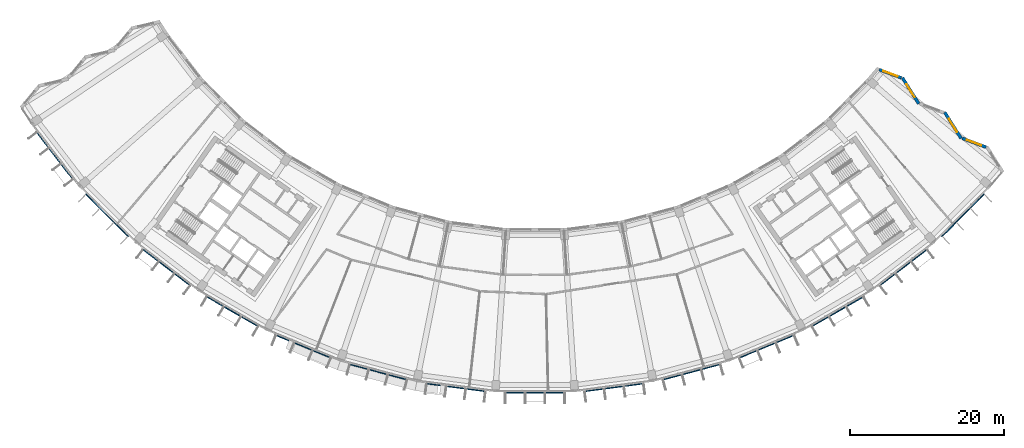
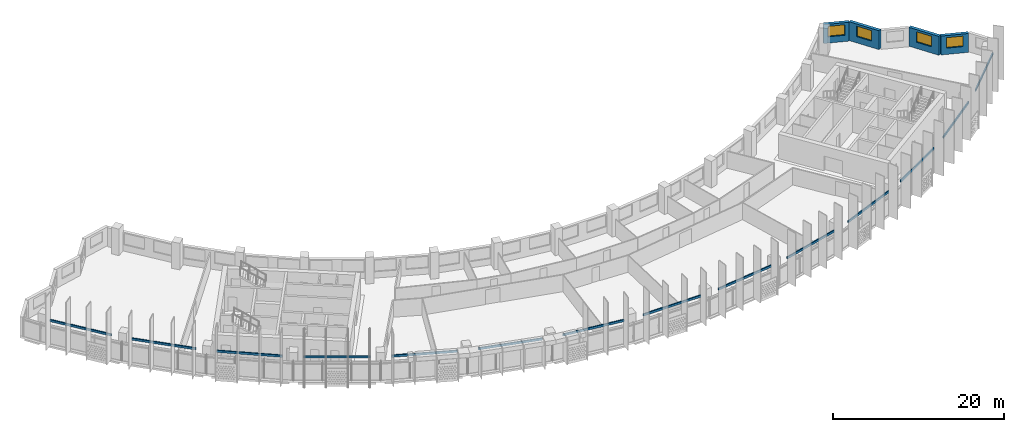
# One storey, part 8 of 28: 14 discrete accessories, 4 walls, 4 windows, 4 openings.
"""IFC4 building model written with IfcOpenShell, lengths in metres."""

from ifc_helpers import new_model, si_unit, direction, frame, frame_2d, origin, origin_2d, place, context, subcontext, project, spatial, rectangle, extrude, material, layer, layer_set, type_object, element, fill, save


model = new_model("IFC4")

# Units and contexts
model_context = context("Model", 3, precision=1e-05, world=origin(), true_north=direction((0.0, 1.0)))
body_context = subcontext(model_context, "Body", "Model", "MODEL_VIEW")
ifc_project = project(units=[si_unit("LENGTHUNIT", "METRE"), si_unit("AREAUNIT", "SQUARE_METRE"), si_unit("VOLUMEUNIT", "CUBIC_METRE"), si_unit("PLANEANGLEUNIT", "RADIAN"), si_unit("MASSUNIT", "GRAM", prefix="KILO")], contexts=[model_context])

# Site, building, storey
site_placement = place(None, origin())
site = spatial("IfcSite", under=ifc_project, at=site_placement, CompositionType="ELEMENT")
building_placement = place(site_placement, origin())
building = spatial("IfcBuilding", under=site, at=building_placement, Name="Qamariyya Broadcast Tower", CompositionType="ELEMENT")
storey_placement = place(building_placement, frame((0.0, 0.0, 226.5)))
storey = spatial("IfcBuildingStorey", under=building, at=storey_placement, Name="L54", CompositionType="ELEMENT", Elevation=226.5)

# Wall, opening, window
ifc_material_1 = material(Name="Terracotta", Category="masonry")
ifc_layer = layer(ifc_material_1, 0.39990234375)
ifc_layer_set = layer_set([ifc_layer], Name="Terracotta clad wall 400")
wall_type = type_object("IfcWallType", Name="Terracotta clad wall 400", PredefinedType="SOLIDWALL", material=ifc_layer_set)
wall_1_placement = place(storey_placement, frame((58.53857421875, -46.711181640625, 0.0), z_axis=(0.0, 0.0, 1.0), x_axis=(-0.936244161023, 0.351350068948, 0.0)))
wall_1 = element("IfcWall", 1, at=wall_1_placement, inside=storey, type_object=wall_type, Name="e-wl-L54-capE1", PredefinedType="SOLIDWALL", context=body_context, shape_type="SweptSolid", body=[
    extrude(rectangle(XDim=3.305419921875, YDim=0.39990234375, at=frame_2d((1.65283203125, 0.0))), origin(), (0.0, 0.0, 1.0), 2.699951171875),
])
opening_1_placement = place(wall_1_placement, frame((0.652587890625, 0.0, 0.89990234375)))
opening_1 = element("IfcOpeningElement", 2, at=opening_1_placement, cuts=wall_1, Name="Opening W4", PredefinedType="OPENING", context=body_context, shape_type="SweptSolid", body=[
    extrude(rectangle(XDim=2.0, YDim=1.5, at=frame_2d((1.0, 0.75))), frame((0.0, 0.2099609375, 0.0), z_axis=(0.0, -1.0, 0.0), x_axis=(1.0, 0.0, 0.0)), (0.0, 0.0, 1.0), 0.419921875),
])
ifc_material_2 = material(Name="Clear low-e double glazed unit in aluminium frame", Category="aluminium")
window_type = type_object("IfcWindowType", Name="Horn bay window 2000 x 1500", PartitioningType="SINGLE_PANEL", PredefinedType="WINDOW", material=ifc_material_2)
window_1_placement = place(opening_1_placement, origin())
window_1 = element("IfcWindow", 3, at=window_1_placement, inside=storey, type_object=window_type, Name="e-w-L54-capE1", OverallHeight=1.5, OverallWidth=2.0, PartitioningType="SINGLE_PANEL", PredefinedType="WINDOW", context=body_context, shape_type="SweptSolid", body=[
    extrude(rectangle(XDim=2.0, YDim=1.5, at=frame_2d((1.0, 0.75))), frame((0.0, 0.030029296875, 0.0), z_axis=(0.0, -1.0, 0.0), x_axis=(1.0, 0.0, 0.0)), (0.0, 0.0, 1.0), 0.06005859375),
])
fill(opening_1, window_1)

wall_2_placement = place(storey_placement, frame((55.304931640625, -45.575439453125, 0.0), z_axis=(0.0, 0.0, 1.0), x_axis=(-0.531140425342, 0.847283806388, 0.0)))
wall_2 = element("IfcWall", 4, at=wall_2_placement, inside=storey, type_object=wall_type, Name="e-wl-L54-capE2", PredefinedType="SOLIDWALL", context=body_context, shape_type="SweptSolid", body=[
    extrude(rectangle(XDim=3.9970703125, YDim=0.39990234375, at=frame_2d((1.99853515625, 0.0))), origin(), (0.0, 0.0, 1.0), 2.699951171875),
])
opening_2_placement = place(wall_2_placement, frame((0.998779296875, 0.0, 0.89990234375)))
opening_2 = element("IfcOpeningElement", 5, at=opening_2_placement, cuts=wall_2, Name="Opening W4", PredefinedType="OPENING", context=body_context, shape_type="SweptSolid", body=[
    extrude(rectangle(XDim=2.0, YDim=1.5, at=frame_2d((1.0, 0.75))), frame((0.0, 0.2099609375, 0.0), z_axis=(0.0, -1.0, 0.0), x_axis=(1.0, 0.0, 0.0)), (0.0, 0.0, 1.0), 0.419921875),
])
window_2_placement = place(opening_2_placement, origin())
window_2 = element("IfcWindow", 6, at=window_2_placement, inside=storey, type_object=window_type, Name="e-w-L54-capE2", OverallHeight=1.5, OverallWidth=2.0, PartitioningType="SINGLE_PANEL", PredefinedType="WINDOW", context=body_context, shape_type="SweptSolid", body=[
    extrude(rectangle(XDim=2.0, YDim=1.5, at=frame_2d((1.0, 0.75))), frame((0.0, 0.030029296875, 0.0), z_axis=(0.0, -1.0, 0.0), x_axis=(1.0, 0.0, 0.0)), (0.0, 0.0, 1.0), 0.06005859375),
])
fill(opening_2, window_2)

wall_3_placement = place(storey_placement, frame((49.81005859375, -41.079345703125, 0.0), z_axis=(0.0, 0.0, 1.0), x_axis=(-0.531205844669, 0.847242793176, 0.0)))
wall_3 = element("IfcWall", 7, at=wall_3_placement, inside=storey, type_object=wall_type, Name="e-wl-L54-capE4", PredefinedType="SOLIDWALL", context=body_context, shape_type="SweptSolid", body=[
    extrude(rectangle(XDim=3.99853515625, YDim=0.39990234375, at=frame_2d((1.999267578125, 0.0))), origin(), (0.0, 0.0, 1.0), 2.699951171875),
])
opening_3_placement = place(wall_3_placement, frame((0.999267578125, 0.0, 0.89990234375)))
opening_3 = element("IfcOpeningElement", 8, at=opening_3_placement, cuts=wall_3, Name="Opening W4", PredefinedType="OPENING", context=body_context, shape_type="SweptSolid", body=[
    extrude(rectangle(XDim=2.0, YDim=1.5, at=frame_2d((1.0, 0.75))), frame((0.0, 0.2099609375, 0.0), z_axis=(0.0, -1.0, 0.0), x_axis=(1.0, 0.0, 0.0)), (0.0, 0.0, 1.0), 0.419921875),
])
window_3_placement = place(opening_3_placement, origin())
window_3 = element("IfcWindow", 9, at=window_3_placement, inside=storey, type_object=window_type, Name="e-w-L54-capE4", OverallHeight=1.5, OverallWidth=2.0, PartitioningType="SINGLE_PANEL", PredefinedType="WINDOW", context=body_context, shape_type="SweptSolid", body=[
    extrude(rectangle(XDim=2.0, YDim=1.5, at=frame_2d((1.0, 0.75))), frame((0.0, 0.030029296875, 0.0), z_axis=(0.0, -1.0, 0.0), x_axis=(1.0, 0.0, 0.0)), (0.0, 0.0, 1.0), 0.06005859375),
])
fill(opening_3, window_3)

wall_4_placement = place(storey_placement, frame((47.547119140625, -37.717529296875, 0.0), z_axis=(0.0, 0.0, 1.0), x_axis=(-0.936306230824, 0.351184626827, 0.0)))
wall_4 = element("IfcWall", 10, at=wall_4_placement, inside=storey, type_object=wall_type, Name="e-wl-L54-capE5", PredefinedType="SOLIDWALL", context=body_context, shape_type="SweptSolid", body=[
    extrude(rectangle(XDim=3.06103515625, YDim=0.39990234375, at=frame_2d((1.530517578125, 0.0))), origin(), (0.0, 0.0, 1.0), 2.699951171875),
])
opening_4_placement = place(wall_4_placement, frame((0.530517578125, 0.0, 0.89990234375)))
opening_4 = element("IfcOpeningElement", 11, at=opening_4_placement, cuts=wall_4, Name="Opening W4", PredefinedType="OPENING", context=body_context, shape_type="SweptSolid", body=[
    extrude(rectangle(XDim=2.0, YDim=1.5, at=frame_2d((1.0, 0.75))), frame((0.0, 0.2099609375, 0.0), z_axis=(0.0, -1.0, 0.0), x_axis=(1.0, 0.0, 0.0)), (0.0, 0.0, 1.0), 0.419921875),
])
window_4_placement = place(opening_4_placement, origin())
window_4 = element("IfcWindow", 12, at=window_4_placement, inside=storey, type_object=window_type, Name="e-w-L54-capE5", OverallHeight=1.5, OverallWidth=2.0, PartitioningType="SINGLE_PANEL", PredefinedType="WINDOW", context=body_context, shape_type="SweptSolid", body=[
    extrude(rectangle(XDim=2.0, YDim=1.5, at=frame_2d((1.0, 0.75))), frame((0.0, 0.030029296875, 0.0), z_axis=(0.0, -1.0, 0.0), x_axis=(1.0, 0.0, 0.0)), (0.0, 0.0, 1.0), 0.06005859375),
])
fill(opening_4, window_4)

# Discrete accessories
ifc_material_3 = material(Name="Stainless steel 316", Category="steel")
discrete_accessory_type = type_object("IfcDiscreteAccessoryType", Name="Slab edge fixing angle, stainless steel", PredefinedType="BRACKET", material=ifc_material_3)
for number, where, z_axis, x_axis, name in (
    (13, (-62.3232421875, -47.822265625, 3.2998046875), (0.0, 0.0, 1.0), (0.608761429009, -0.793353340291, 0.0), "e-br-L54-01-0"),
    (14, (-55.5478515625, -55.5478515625, 3.2998046875), (0.0, 0.0, 1.0), (0.707106781187, -0.707106781187, 0.0), "e-br-L54-02-0"),
    (15, (-47.822265625, -62.3232421875, 3.2998046875), (0.0, 0.0, 1.0), (0.793353340291, -0.608761429009, 0.0), "e-br-L54-03-0"),
    (16, (-39.2783203125, -68.031982421875, 3.2998046875), (0.0, 0.0, 1.0), (0.866025403784, -0.5, 0.0), "e-br-L54-04-0"),
    (17, (-30.062255859375, -72.576904296875, 3.2998046875), (0.0, 0.0, 1.0), (0.923879532511, -0.382683432365, 0.0), "e-br-L54-05-0"),
    (18, (-20.33203125, -75.8798828125, 3.2998046875), (0.0, 0.0, 1.0), (0.965925826289, -0.258819045103, 0.0), "e-br-L54-06-0"),
    (19, (-10.253662109375, -77.884521484375, 3.2998046875), (0.0, 0.0, 1.0), (0.991444861374, -0.13052619222, 0.0), "e-br-L54-07-0"),
    (20, (0.0, -78.556640625, 3.2998046875), (0.0, 0.0, 1.0), (1.0, 0.0, 0.0), "e-br-L54-08-0"),
    (21, (10.253662109375, -77.884521484375, 3.2998046875), (0.0, 0.0, 1.0), (0.991444861374, 0.13052619222, 0.0), "e-br-L54-09-0"),
    (22, (20.33203125, -75.8798828125, 3.2998046875), (0.0, 0.0, 1.0), (0.965925826289, 0.258819045103, 0.0), "e-br-L54-10-0"),
    (23, (30.062255859375, -72.576904296875, 3.2998046875), (0.0, 0.0, 1.0), (0.923879532511, 0.382683432365, 0.0), "e-br-L54-11-0"),
    (24, (39.2783203125, -68.031982421875, 3.2998046875), (0.0, 0.0, 1.0), (0.866025403784, 0.5, 0.0), "e-br-L54-12-0"),
    (25, (47.822265625, -62.3232421875, 3.2998046875), (0.0, 0.0, 1.0), (0.793353340291, 0.608761429009, 0.0), "e-br-L54-13-0"),
    (26, (55.5478515625, -55.5478515625, 3.2998046875), (0.0, 0.0, 1.0), (0.707106781187, 0.707106781187, 0.0), "e-br-L54-14-0"),
):
    element("IfcDiscreteAccessory", number, at=place(storey_placement, frame(where, z_axis=z_axis, x_axis=x_axis)), inside=storey, type_object=discrete_accessory_type, Name=name, PredefinedType="BRACKET", context=body_context, shape_type="SweptSolid", body=[
        extrude(rectangle(XDim=7.81591796875, YDim=0.14990234375, at=origin_2d()), origin(), (0.0, 0.0, 1.0), 0.300048828125),
    ])

save(model, "model.ifc")
